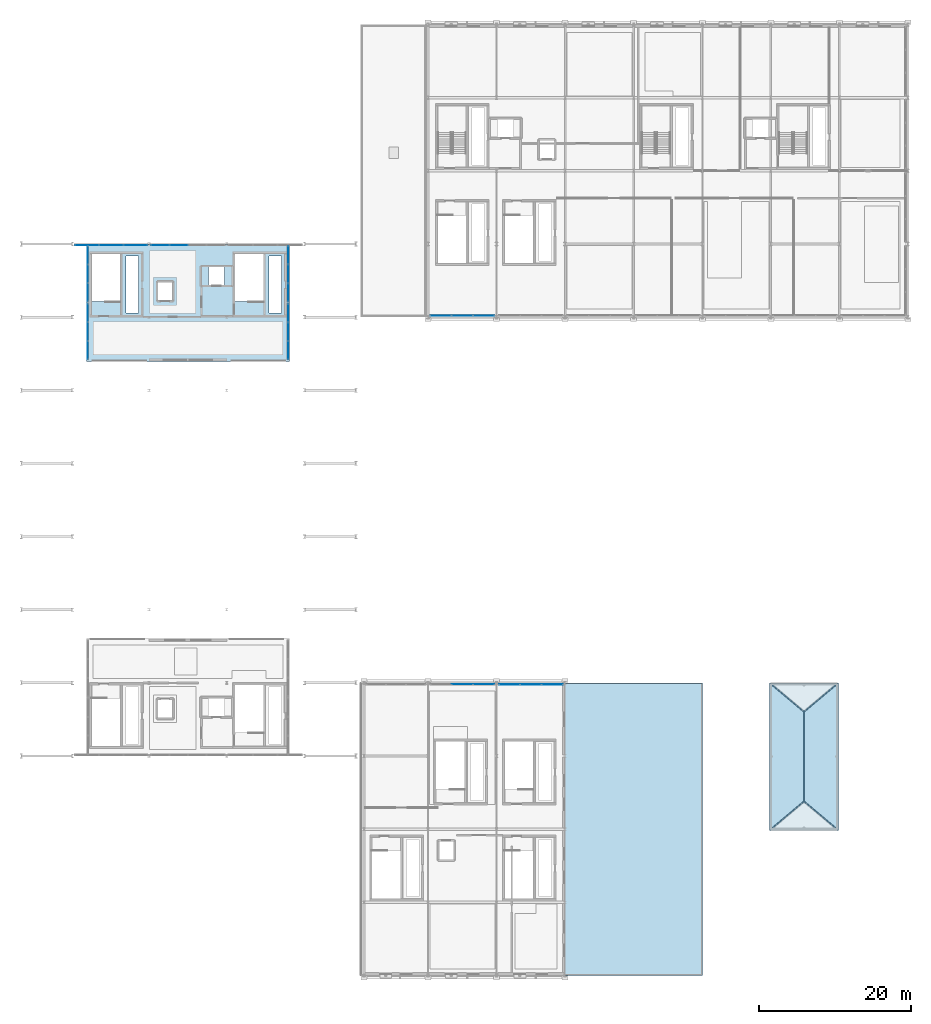
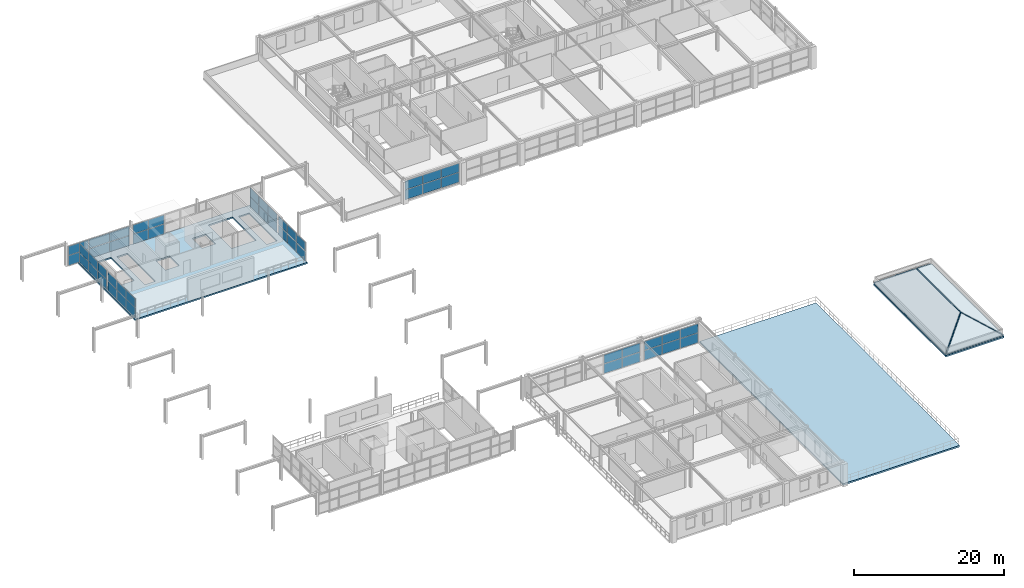
# One storey, part 31 of 52: 50 plates, 7 slabs, 9 elements without a shape of their own.
"""IFC4 building model written with IfcOpenShell, lengths in metres."""

from ifc_helpers import new_model, si_unit, direction, frame, origin, origin_2d, place, context, subcontext, project, spatial, polyline, rectangle, outline, extrude, material, layer, layer_set, type_object, element, aggregate, save


model = new_model("IFC4")

# Units and contexts
model_context = context("Model", 3, precision=1e-05, world=origin(), true_north=direction((0.0, 1.0)))
body_context = subcontext(model_context, "Body", "Model", "MODEL_VIEW")
ifc_project = project(units=[si_unit("LENGTHUNIT", "METRE"), si_unit("AREAUNIT", "SQUARE_METRE"), si_unit("VOLUMEUNIT", "CUBIC_METRE"), si_unit("PLANEANGLEUNIT", "RADIAN"), si_unit("MASSUNIT", "GRAM", prefix="KILO")], contexts=[model_context])

# Site, building, storey
site_placement = place(None, origin())
site = spatial("IfcSite", under=ifc_project, at=site_placement, CompositionType="ELEMENT")
building_placement = place(site_placement, origin())
building = spatial("IfcBuilding", under=site, at=building_placement, Name="Myrtia Square Station", CompositionType="ELEMENT")
storey_placement = place(building_placement, frame((0.0, 0.0, 15.0)))
storey = spatial("IfcBuildingStorey", under=building, at=storey_placement, Name="L03", CompositionType="ELEMENT", Elevation=15.0)

# Curtain wall, plates
ifc_material_1 = material(Name="Dark bronze anodised aluminium", Category="aluminium")
ifc_layer_1 = layer(ifc_material_1, 0.159912109375, Name="Dark bronze anodised aluminium")
ifc_layer_set_1 = layer_set([ifc_layer_1], Name="Dark bronze anodised aluminium")
curtain_wall_type_1 = type_object("IfcCurtainWallType", Name="CW-TYPE-08-740x320", PredefinedType="USERDEFINED", material=ifc_layer_set_1)
curtain_wall_1_placement = place(storey_placement, origin())
curtain_wall_1 = element("IfcCurtainWall", 1, at=curtain_wall_1_placement, inside=storey, type_object=curtain_wall_type_1, Name="Concourse curtain wall CW-L03-038", ObjectType="CONCOURSE CURTAIN WALL", PredefinedType="USERDEFINED")
ifc_material_2 = material(Name="Tinted low-E solar control glass", Category="glass")
ifc_layer_2 = layer(ifc_material_2, 0.02392578125, Name="Tinted low-E solar control glass")
ifc_layer_set_2 = layer_set([ifc_layer_2], Name="Tinted low-E solar control glass")
plate_type_1 = type_object("IfcPlateType", Name="CWP-GLZ-24", PredefinedType="CURTAIN_PANEL", material=ifc_layer_set_2)
plate_1_placement = place(storey_placement, frame((107.64990234375, 82.052001953125, 0.0751953125), z_axis=(0.0, 0.0, 1.0), x_axis=(0.0, 1.0, 0.0)))
plate_1 = element("IfcPlate", 2, at=plate_1_placement, type_object=plate_type_1, Name="CW-038 panel 1.1", PredefinedType="CURTAIN_PANEL", context=body_context, shape_type="SweptSolid", body=[
    extrude(rectangle(XDim=2.354248046875, YDim=0.02392578125, at=origin_2d()), origin(), (0.0, 0.0, 1.0), 1.551513671875),
])
plate_2_placement = place(storey_placement, frame((107.64990234375, 82.052001953125, 1.70166015625), z_axis=(0.0, 0.0, 1.0), x_axis=(0.0, 1.0, 0.0)))
plate_2 = element("IfcPlate", 3, at=plate_2_placement, type_object=plate_type_1, Name="CW-038 panel 1.2", PredefinedType="CURTAIN_PANEL", context=body_context, shape_type="SweptSolid", body=[
    extrude(rectangle(XDim=2.354248046875, YDim=0.02392578125, at=origin_2d()), origin(), (0.0, 0.0, 1.0), 1.423583984375),
])
plate_3_placement = place(storey_placement, frame((107.64990234375, 84.5, 0.0751953125), z_axis=(0.0, 0.0, 1.0), x_axis=(0.0, 1.0, 0.0)))
plate_3 = element("IfcPlate", 4, at=plate_3_placement, type_object=plate_type_1, Name="CW-038 panel 2.1", PredefinedType="CURTAIN_PANEL", context=body_context, shape_type="SweptSolid", body=[
    extrude(rectangle(XDim=2.3916015625, YDim=0.02392578125, at=origin_2d()), origin(), (0.0, 0.0, 1.0), 1.551513671875),
])
plate_4_placement = place(storey_placement, frame((107.64990234375, 84.5, 1.70166015625), z_axis=(0.0, 0.0, 1.0), x_axis=(0.0, 1.0, 0.0)))
plate_4 = element("IfcPlate", 5, at=plate_4_placement, type_object=plate_type_1, Name="CW-038 panel 2.2", PredefinedType="CURTAIN_PANEL", context=body_context, shape_type="SweptSolid", body=[
    extrude(rectangle(XDim=2.3916015625, YDim=0.02392578125, at=origin_2d()), origin(), (0.0, 0.0, 1.0), 1.423583984375),
])
plate_5_placement = place(storey_placement, frame((107.64990234375, 86.947998046875, 0.0751953125), z_axis=(0.0, 0.0, 1.0), x_axis=(0.0, 1.0, 0.0)))
plate_5 = element("IfcPlate", 6, at=plate_5_placement, type_object=plate_type_1, Name="CW-038 panel 3.1", PredefinedType="CURTAIN_PANEL", context=body_context, shape_type="SweptSolid", body=[
    extrude(rectangle(XDim=2.354248046875, YDim=0.02392578125, at=origin_2d()), origin(), (0.0, 0.0, 1.0), 1.551513671875),
])
plate_6_placement = place(storey_placement, frame((107.64990234375, 86.947998046875, 1.70166015625), z_axis=(0.0, 0.0, 1.0), x_axis=(0.0, 1.0, 0.0)))
plate_6 = element("IfcPlate", 7, at=plate_6_placement, type_object=plate_type_1, Name="CW-038 panel 3.2", PredefinedType="CURTAIN_PANEL", context=body_context, shape_type="SweptSolid", body=[
    extrude(rectangle(XDim=2.354248046875, YDim=0.02392578125, at=origin_2d()), origin(), (0.0, 0.0, 1.0), 1.423583984375),
])
aggregate(curtain_wall_1, [plate_1, plate_2, plate_3, plate_4, plate_5, plate_6])

ifc_layer_3 = layer(ifc_material_1, 0.159912109375, Name="Dark bronze anodised aluminium")
ifc_layer_set_3 = layer_set([ifc_layer_3], Name="Dark bronze anodised aluminium")
curtain_wall_type_2 = type_object("IfcCurtainWallType", Name="CW-TYPE-07-740x320", PredefinedType="USERDEFINED", material=ifc_layer_set_3)
curtain_wall_2_placement = place(storey_placement, origin())
curtain_wall_2 = element("IfcCurtainWall", 8, at=curtain_wall_2_placement, inside=storey, type_object=curtain_wall_type_2, Name="Concourse curtain wall CW-L03-039", ObjectType="CONCOURSE CURTAIN WALL", PredefinedType="USERDEFINED")
plate_7_placement = place(storey_placement, frame((81.35009765625, 89.649658203125, 0.06494140625), z_axis=(0.0, 0.0, 1.0), x_axis=(0.0, 1.0, 0.0)))
plate_7 = element("IfcPlate", 9, at=plate_7_placement, type_object=plate_type_1, Name="CW-039 panel 1.1", PredefinedType="CURTAIN_PANEL", context=body_context, shape_type="SweptSolid", body=[
    extrude(rectangle(XDim=2.369140625, YDim=0.02392578125, at=origin_2d()), origin(), (0.0, 0.0, 1.0), 1.56640625),
])
plate_8_placement = place(storey_placement, frame((81.35009765625, 89.649658203125, 1.696533203125), z_axis=(0.0, 0.0, 1.0), x_axis=(0.0, 1.0, 0.0)))
plate_8 = element("IfcPlate", 10, at=plate_8_placement, type_object=plate_type_1, Name="CW-039 panel 1.2", PredefinedType="CURTAIN_PANEL", context=body_context, shape_type="SweptSolid", body=[
    extrude(rectangle(XDim=2.369140625, YDim=0.02392578125, at=origin_2d()), origin(), (0.0, 0.0, 1.0), 1.4384765625),
])
plate_9_placement = place(storey_placement, frame((81.35009765625, 92.10009765625, 0.06494140625), z_axis=(0.0, 0.0, 1.0), x_axis=(0.0, 1.0, 0.0)))
plate_9 = element("IfcPlate", 11, at=plate_9_placement, type_object=plate_type_1, Name="CW-039 panel 2.1", PredefinedType="CURTAIN_PANEL", context=body_context, shape_type="SweptSolid", body=[
    extrude(rectangle(XDim=2.401611328125, YDim=0.02392578125, at=origin_2d()), origin(), (0.0, 0.0, 1.0), 1.56640625),
])
plate_10_placement = place(storey_placement, frame((81.35009765625, 92.10009765625, 1.696533203125), z_axis=(0.0, 0.0, 1.0), x_axis=(0.0, 1.0, 0.0)))
plate_10 = element("IfcPlate", 12, at=plate_10_placement, type_object=plate_type_1, Name="CW-039 panel 2.2", PredefinedType="CURTAIN_PANEL", context=body_context, shape_type="SweptSolid", body=[
    extrude(rectangle(XDim=2.401611328125, YDim=0.02392578125, at=origin_2d()), origin(), (0.0, 0.0, 1.0), 1.4384765625),
])
plate_11_placement = place(storey_placement, frame((81.35009765625, 94.550537109375, 0.06494140625), z_axis=(0.0, 0.0, 1.0), x_axis=(0.0, 1.0, 0.0)))
plate_11 = element("IfcPlate", 13, at=plate_11_placement, type_object=plate_type_1, Name="CW-039 panel 3.1", PredefinedType="CURTAIN_PANEL", context=body_context, shape_type="SweptSolid", body=[
    extrude(rectangle(XDim=2.369140625, YDim=0.02392578125, at=origin_2d()), origin(), (0.0, 0.0, 1.0), 1.56640625),
])
plate_12_placement = place(storey_placement, frame((81.35009765625, 94.550537109375, 1.696533203125), z_axis=(0.0, 0.0, 1.0), x_axis=(0.0, 1.0, 0.0)))
plate_12 = element("IfcPlate", 14, at=plate_12_placement, type_object=plate_type_1, Name="CW-039 panel 3.2", PredefinedType="CURTAIN_PANEL", context=body_context, shape_type="SweptSolid", body=[
    extrude(rectangle(XDim=2.369140625, YDim=0.02392578125, at=origin_2d()), origin(), (0.0, 0.0, 1.0), 1.4384765625),
])
aggregate(curtain_wall_2, [plate_7, plate_8, plate_9, plate_10, plate_11, plate_12])

ifc_layer_4 = layer(ifc_material_1, 0.159912109375, Name="Dark bronze anodised aluminium")
ifc_layer_set_4 = layer_set([ifc_layer_4], Name="Dark bronze anodised aluminium")
curtain_wall_type_3 = type_object("IfcCurtainWallType", Name="CW-TYPE-16-980x325", PredefinedType="USERDEFINED", material=ifc_layer_set_4)
curtain_wall_3_placement = place(storey_placement, origin())
curtain_wall_3 = element("IfcCurtainWall", 15, at=curtain_wall_3_placement, inside=storey, type_object=curtain_wall_type_3, Name="Concourse curtain wall CW-L03-056", ObjectType="CONCOURSE CURTAIN WALL", PredefinedType="USERDEFINED")
plate_13_placement = place(storey_placement, frame((90.84130859375, 95.85009765625, 0.06494140625), z_axis=(0.0, 0.0, 1.0), x_axis=(1.0, 0.0, 0.0)))
plate_13 = element("IfcPlate", 16, at=plate_13_placement, type_object=plate_type_1, Name="CW-056 panel 1.1", PredefinedType="CURTAIN_PANEL", context=body_context, shape_type="SweptSolid", body=[
    extrude(rectangle(XDim=2.3525390625, YDim=0.02392578125, at=origin_2d()), origin(), (0.0, 0.0, 1.0), 1.592529296875),
])
plate_14_placement = place(storey_placement, frame((90.84130859375, 95.85009765625, 1.72265625), z_axis=(0.0, 0.0, 1.0), x_axis=(1.0, 0.0, 0.0)))
plate_14 = element("IfcPlate", 17, at=plate_14_placement, type_object=plate_type_1, Name="CW-056 panel 1.2", PredefinedType="CURTAIN_PANEL", context=body_context, shape_type="SweptSolid", body=[
    extrude(rectangle(XDim=2.3525390625, YDim=0.02392578125, at=origin_2d()), origin(), (0.0, 0.0, 1.0), 1.46240234375),
])
plate_15_placement = place(storey_placement, frame((93.27490234375, 95.85009765625, 0.06494140625), z_axis=(0.0, 0.0, 1.0), x_axis=(1.0, 0.0, 0.0)))
plate_15 = element("IfcPlate", 18, at=plate_15_placement, type_object=plate_type_1, Name="CW-056 panel 2.1", PredefinedType="CURTAIN_PANEL", context=body_context, shape_type="SweptSolid", body=[
    extrude(rectangle(XDim=2.385009765625, YDim=0.02392578125, at=origin_2d()), origin(), (0.0, 0.0, 1.0), 1.592529296875),
])
plate_16_placement = place(storey_placement, frame((93.27490234375, 95.85009765625, 1.72265625), z_axis=(0.0, 0.0, 1.0), x_axis=(1.0, 0.0, 0.0)))
plate_16 = element("IfcPlate", 19, at=plate_16_placement, type_object=plate_type_1, Name="CW-056 panel 2.2", PredefinedType="CURTAIN_PANEL", context=body_context, shape_type="SweptSolid", body=[
    extrude(rectangle(XDim=2.385009765625, YDim=0.02392578125, at=origin_2d()), origin(), (0.0, 0.0, 1.0), 1.46240234375),
])
aggregate(curtain_wall_3, [plate_13, plate_14, plate_15, plate_16])

ifc_layer_5 = layer(ifc_material_1, 0.159912109375, Name="Dark bronze anodised aluminium")
ifc_layer_set_5 = layer_set([ifc_layer_5], Name="Dark bronze anodised aluminium")
curtain_wall_type_4 = type_object("IfcCurtainWallType", Name="CW-TYPE-41-845x320", PredefinedType="USERDEFINED", material=ifc_layer_set_5)
curtain_wall_4_placement = place(storey_placement, origin())
curtain_wall_4 = element("IfcCurtainWall", 20, at=curtain_wall_4_placement, inside=storey, type_object=curtain_wall_type_4, Name="Concourse curtain wall CW-L03-120", ObjectType="CONCOURSE CURTAIN WALL", PredefinedType="USERDEFINED")
plate_17_placement = place(storey_placement, frame((127.6982421875, 86.60009765625, 0.06005859375), z_axis=(0.0, 0.0, 1.0), x_axis=(1.0, 0.0, 0.0)))
plate_17 = element("IfcPlate", 21, at=plate_17_placement, type_object=plate_type_1, Name="CW-120 panel 1.1", PredefinedType="CURTAIN_PANEL", context=body_context, shape_type="SweptSolid", body=[
    extrude(rectangle(XDim=2.7265625, YDim=0.02392578125, at=origin_2d()), origin(), (0.0, 0.0, 1.0), 1.573974609375),
])
plate_18_placement = place(storey_placement, frame((127.6982421875, 86.60009765625, 1.69384765625), z_axis=(0.0, 0.0, 1.0), x_axis=(1.0, 0.0, 0.0)))
plate_18 = element("IfcPlate", 22, at=plate_18_placement, type_object=plate_type_1, Name="CW-120 panel 1.2", PredefinedType="CURTAIN_PANEL", context=body_context, shape_type="SweptSolid", body=[
    extrude(rectangle(XDim=2.7265625, YDim=0.02392578125, at=origin_2d()), origin(), (0.0, 0.0, 1.0), 1.446044921875),
])
plate_19_placement = place(storey_placement, frame((130.5, 86.60009765625, 0.06005859375), z_axis=(0.0, 0.0, 1.0), x_axis=(1.0, 0.0, 0.0)))
plate_19 = element("IfcPlate", 23, at=plate_19_placement, type_object=plate_type_1, Name="CW-120 panel 2.1", PredefinedType="CURTAIN_PANEL", context=body_context, shape_type="SweptSolid", body=[
    extrude(rectangle(XDim=2.756591796875, YDim=0.02392578125, at=origin_2d()), origin(), (0.0, 0.0, 1.0), 1.573974609375),
])
plate_20_placement = place(storey_placement, frame((130.5, 86.60009765625, 1.69384765625), z_axis=(0.0, 0.0, 1.0), x_axis=(1.0, 0.0, 0.0)))
plate_20 = element("IfcPlate", 24, at=plate_20_placement, type_object=plate_type_1, Name="CW-120 panel 2.2", PredefinedType="CURTAIN_PANEL", context=body_context, shape_type="SweptSolid", body=[
    extrude(rectangle(XDim=2.756591796875, YDim=0.02392578125, at=origin_2d()), origin(), (0.0, 0.0, 1.0), 1.446044921875),
])
plate_21_placement = place(storey_placement, frame((133.3017578125, 86.60009765625, 0.06005859375), z_axis=(0.0, 0.0, 1.0), x_axis=(1.0, 0.0, 0.0)))
plate_21 = element("IfcPlate", 25, at=plate_21_placement, type_object=plate_type_1, Name="CW-120 panel 3.1", PredefinedType="CURTAIN_PANEL", context=body_context, shape_type="SweptSolid", body=[
    extrude(rectangle(XDim=2.7265625, YDim=0.02392578125, at=origin_2d()), origin(), (0.0, 0.0, 1.0), 1.573974609375),
])
plate_22_placement = place(storey_placement, frame((133.3017578125, 86.60009765625, 1.69384765625), z_axis=(0.0, 0.0, 1.0), x_axis=(1.0, 0.0, 0.0)))
plate_22 = element("IfcPlate", 26, at=plate_22_placement, type_object=plate_type_1, Name="CW-120 panel 3.2", PredefinedType="CURTAIN_PANEL", context=body_context, shape_type="SweptSolid", body=[
    extrude(rectangle(XDim=2.7265625, YDim=0.02392578125, at=origin_2d()), origin(), (0.0, 0.0, 1.0), 1.446044921875),
])
aggregate(curtain_wall_4, [plate_17, plate_18, plate_19, plate_20, plate_21, plate_22])

ifc_layer_6 = layer(ifc_material_1, 0.159912109375, Name="Dark bronze anodised aluminium")
ifc_layer_set_6 = layer_set([ifc_layer_6], Name="Dark bronze anodised aluminium")
curtain_wall_type_5 = type_object("IfcCurtainWallType", Name="CW-TYPE-48-846x320", PredefinedType="USERDEFINED", material=ifc_layer_set_6)
curtain_wall_5_placement = place(storey_placement, origin())
curtain_wall_5 = element("IfcCurtainWall", 27, at=curtain_wall_5_placement, inside=storey, type_object=curtain_wall_type_5, Name="Concourse curtain wall CW-L03-156", ObjectType="CONCOURSE CURTAIN WALL", PredefinedType="USERDEFINED")
ifc_layer_7 = layer(ifc_material_2, 0.028076171875, Name="Tinted low-E solar control glass")
ifc_layer_set_7 = layer_set([ifc_layer_7], Name="Tinted low-E solar control glass")
plate_type_2 = type_object("IfcPlateType", Name="CWP-GLZ-28", PredefinedType="CURTAIN_PANEL", material=ifc_layer_set_7)
plate_23_placement = place(storey_placement, frame((130.5, 38.199951171875, 0.06494140625), z_axis=(0.0, 0.0, 1.0), x_axis=(1.0, 0.0, 0.0)))
plate_23 = element("IfcPlate", 28, at=plate_23_placement, type_object=plate_type_2, Name="CW-156 panel 2.1", PredefinedType="CURTAIN_PANEL", context=body_context, shape_type="SweptSolid", body=[
    extrude(rectangle(XDim=2.7548828125, YDim=0.028076171875, at=origin_2d()), origin(), (0.0, 0.0, 1.0), 1.56640625),
])
plate_24_placement = place(storey_placement, frame((130.5, 38.199951171875, 1.696533203125), z_axis=(0.0, 0.0, 1.0), x_axis=(1.0, 0.0, 0.0)))
plate_24 = element("IfcPlate", 29, at=plate_24_placement, type_object=plate_type_2, Name="CW-156 panel 2.2", PredefinedType="CURTAIN_PANEL", context=body_context, shape_type="SweptSolid", body=[
    extrude(rectangle(XDim=2.7548828125, YDim=0.028076171875, at=origin_2d()), origin(), (0.0, 0.0, 1.0), 1.4384765625),
])
plate_25_placement = place(storey_placement, frame((133.3037109375, 38.199951171875, 0.06494140625), z_axis=(0.0, 0.0, 1.0), x_axis=(1.0, 0.0, 0.0)))
plate_25 = element("IfcPlate", 30, at=plate_25_placement, type_object=plate_type_2, Name="CW-156 panel 3.1", PredefinedType="CURTAIN_PANEL", context=body_context, shape_type="SweptSolid", body=[
    extrude(rectangle(XDim=2.722412109375, YDim=0.028076171875, at=origin_2d()), origin(), (0.0, 0.0, 1.0), 1.56640625),
])
plate_26_placement = place(storey_placement, frame((133.3037109375, 38.199951171875, 1.696533203125), z_axis=(0.0, 0.0, 1.0), x_axis=(1.0, 0.0, 0.0)))
plate_26 = element("IfcPlate", 31, at=plate_26_placement, type_object=plate_type_2, Name="CW-156 panel 3.2", PredefinedType="CURTAIN_PANEL", context=body_context, shape_type="SweptSolid", body=[
    extrude(rectangle(XDim=2.722412109375, YDim=0.028076171875, at=origin_2d()), origin(), (0.0, 0.0, 1.0), 1.4384765625),
])
aggregate(curtain_wall_5, [plate_23, plate_24, plate_25, plate_26])

curtain_wall_6_placement = place(storey_placement, origin())
curtain_wall_6 = element("IfcCurtainWall", 32, at=curtain_wall_6_placement, inside=storey, type_object=curtain_wall_type_2, Name="Concourse curtain wall CW-L03-037", ObjectType="CONCOURSE CURTAIN WALL", PredefinedType="USERDEFINED")
ifc_layer_8 = layer(ifc_material_2, 0.031982421875, Name="Tinted low-E solar control glass")
ifc_layer_set_8 = layer_set([ifc_layer_8], Name="Tinted low-E solar control glass")
plate_type_3 = type_object("IfcPlateType", Name="CWP-GLZ-32", PredefinedType="CURTAIN_PANEL", material=ifc_layer_set_8)
plate_27_placement = place(storey_placement, frame((81.35009765625, 82.049560546875, 0.06494140625), z_axis=(0.0, 0.0, 1.0), x_axis=(0.0, 1.0, 0.0)))
plate_27 = element("IfcPlate", 33, at=plate_27_placement, type_object=plate_type_3, Name="CW-037 panel 1.1", PredefinedType="CURTAIN_PANEL", context=body_context, shape_type="SweptSolid", body=[
    extrude(rectangle(XDim=2.369140625, YDim=0.031982421875, at=origin_2d()), origin(), (0.0, 0.0, 1.0), 1.56640625),
])
plate_28_placement = place(storey_placement, frame((81.35009765625, 82.049560546875, 1.696533203125), z_axis=(0.0, 0.0, 1.0), x_axis=(0.0, 1.0, 0.0)))
plate_28 = element("IfcPlate", 34, at=plate_28_placement, type_object=plate_type_3, Name="CW-037 panel 1.2", PredefinedType="CURTAIN_PANEL", context=body_context, shape_type="SweptSolid", body=[
    extrude(rectangle(XDim=2.369140625, YDim=0.031982421875, at=origin_2d()), origin(), (0.0, 0.0, 1.0), 1.4384765625),
])
plate_29_placement = place(storey_placement, frame((81.35009765625, 84.5, 0.06494140625), z_axis=(0.0, 0.0, 1.0), x_axis=(0.0, 1.0, 0.0)))
plate_29 = element("IfcPlate", 35, at=plate_29_placement, type_object=plate_type_3, Name="CW-037 panel 2.1", PredefinedType="CURTAIN_PANEL", context=body_context, shape_type="SweptSolid", body=[
    extrude(rectangle(XDim=2.401611328125, YDim=0.031982421875, at=origin_2d()), origin(), (0.0, 0.0, 1.0), 1.56640625),
])
plate_30_placement = place(storey_placement, frame((81.35009765625, 84.5, 1.696533203125), z_axis=(0.0, 0.0, 1.0), x_axis=(0.0, 1.0, 0.0)))
plate_30 = element("IfcPlate", 36, at=plate_30_placement, type_object=plate_type_3, Name="CW-037 panel 2.2", PredefinedType="CURTAIN_PANEL", context=body_context, shape_type="SweptSolid", body=[
    extrude(rectangle(XDim=2.401611328125, YDim=0.031982421875, at=origin_2d()), origin(), (0.0, 0.0, 1.0), 1.4384765625),
])
plate_31_placement = place(storey_placement, frame((81.35009765625, 86.950439453125, 0.06494140625), z_axis=(0.0, 0.0, 1.0), x_axis=(0.0, 1.0, 0.0)))
plate_31 = element("IfcPlate", 37, at=plate_31_placement, type_object=plate_type_3, Name="CW-037 panel 3.1", PredefinedType="CURTAIN_PANEL", context=body_context, shape_type="SweptSolid", body=[
    extrude(rectangle(XDim=2.369140625, YDim=0.031982421875, at=origin_2d()), origin(), (0.0, 0.0, 1.0), 1.56640625),
])
plate_32_placement = place(storey_placement, frame((81.35009765625, 86.950439453125, 1.696533203125), z_axis=(0.0, 0.0, 1.0), x_axis=(0.0, 1.0, 0.0)))
plate_32 = element("IfcPlate", 38, at=plate_32_placement, type_object=plate_type_3, Name="CW-037 panel 3.2", PredefinedType="CURTAIN_PANEL", context=body_context, shape_type="SweptSolid", body=[
    extrude(rectangle(XDim=2.369140625, YDim=0.031982421875, at=origin_2d()), origin(), (0.0, 0.0, 1.0), 1.4384765625),
])
aggregate(curtain_wall_6, [plate_27, plate_28, plate_29, plate_30, plate_31, plate_32])

curtain_wall_7_placement = place(storey_placement, origin())
curtain_wall_7 = element("IfcCurtainWall", 39, at=curtain_wall_7_placement, inside=storey, type_object=curtain_wall_type_1, Name="Concourse curtain wall CW-L03-040", ObjectType="CONCOURSE CURTAIN WALL", PredefinedType="USERDEFINED")
plate_33_placement = place(storey_placement, frame((107.64990234375, 89.652099609375, 0.0751953125), z_axis=(0.0, 0.0, 1.0), x_axis=(0.0, 1.0, 0.0)))
plate_33 = element("IfcPlate", 40, at=plate_33_placement, type_object=plate_type_3, Name="CW-040 panel 1.1", PredefinedType="CURTAIN_PANEL", context=body_context, shape_type="SweptSolid", body=[
    extrude(rectangle(XDim=2.354248046875, YDim=0.031982421875, at=origin_2d()), origin(), (0.0, 0.0, 1.0), 1.551513671875),
])
plate_34_placement = place(storey_placement, frame((107.64990234375, 89.652099609375, 1.70166015625), z_axis=(0.0, 0.0, 1.0), x_axis=(0.0, 1.0, 0.0)))
plate_34 = element("IfcPlate", 41, at=plate_34_placement, type_object=plate_type_3, Name="CW-040 panel 1.2", PredefinedType="CURTAIN_PANEL", context=body_context, shape_type="SweptSolid", body=[
    extrude(rectangle(XDim=2.354248046875, YDim=0.031982421875, at=origin_2d()), origin(), (0.0, 0.0, 1.0), 1.423583984375),
])
plate_35_placement = place(storey_placement, frame((107.64990234375, 92.10009765625, 0.0751953125), z_axis=(0.0, 0.0, 1.0), x_axis=(0.0, 1.0, 0.0)))
plate_35 = element("IfcPlate", 42, at=plate_35_placement, type_object=plate_type_3, Name="CW-040 panel 2.1", PredefinedType="CURTAIN_PANEL", context=body_context, shape_type="SweptSolid", body=[
    extrude(rectangle(XDim=2.3916015625, YDim=0.031982421875, at=origin_2d()), origin(), (0.0, 0.0, 1.0), 1.551513671875),
])
plate_36_placement = place(storey_placement, frame((107.64990234375, 92.10009765625, 1.70166015625), z_axis=(0.0, 0.0, 1.0), x_axis=(0.0, 1.0, 0.0)))
plate_36 = element("IfcPlate", 43, at=plate_36_placement, type_object=plate_type_3, Name="CW-040 panel 2.2", PredefinedType="CURTAIN_PANEL", context=body_context, shape_type="SweptSolid", body=[
    extrude(rectangle(XDim=2.3916015625, YDim=0.031982421875, at=origin_2d()), origin(), (0.0, 0.0, 1.0), 1.423583984375),
])
plate_37_placement = place(storey_placement, frame((107.64990234375, 94.5478515625, 0.0751953125), z_axis=(0.0, 0.0, 1.0), x_axis=(0.0, 1.0, 0.0)))
plate_37 = element("IfcPlate", 44, at=plate_37_placement, type_object=plate_type_3, Name="CW-040 panel 3.1", PredefinedType="CURTAIN_PANEL", context=body_context, shape_type="SweptSolid", body=[
    extrude(rectangle(XDim=2.354248046875, YDim=0.031982421875, at=origin_2d()), origin(), (0.0, 0.0, 1.0), 1.551513671875),
])
plate_38_placement = place(storey_placement, frame((107.64990234375, 94.5478515625, 1.70166015625), z_axis=(0.0, 0.0, 1.0), x_axis=(0.0, 1.0, 0.0)))
plate_38 = element("IfcPlate", 45, at=plate_38_placement, type_object=plate_type_3, Name="CW-040 panel 3.2", PredefinedType="CURTAIN_PANEL", context=body_context, shape_type="SweptSolid", body=[
    extrude(rectangle(XDim=2.354248046875, YDim=0.031982421875, at=origin_2d()), origin(), (0.0, 0.0, 1.0), 1.423583984375),
])
aggregate(curtain_wall_7, [plate_33, plate_34, plate_35, plate_36, plate_37, plate_38])

ifc_layer_9 = layer(ifc_material_1, 0.159912109375, Name="Dark bronze anodised aluminium")
ifc_layer_set_9 = layer_set([ifc_layer_9], Name="Dark bronze anodised aluminium")
curtain_wall_type_6 = type_object("IfcCurtainWallType", Name="CW-TYPE-15-955x325", PredefinedType="USERDEFINED", material=ifc_layer_set_9)
curtain_wall_8_placement = place(storey_placement, origin())
curtain_wall_8 = element("IfcCurtainWall", 46, at=curtain_wall_8_placement, inside=storey, type_object=curtain_wall_type_6, Name="Concourse curtain wall CW-L03-054", ObjectType="CONCOURSE CURTAIN WALL", PredefinedType="USERDEFINED")
plate_39_placement = place(storey_placement, frame((81.2578125, 95.85009765625, 0.06494140625), z_axis=(0.0, 0.0, 1.0), x_axis=(1.0, 0.0, 0.0)))
plate_39 = element("IfcPlate", 47, at=plate_39_placement, type_object=plate_type_3, Name="CW-054 panel 1.1", PredefinedType="CURTAIN_PANEL", context=body_context, shape_type="SweptSolid", body=[
    extrude(rectangle(XDim=3.0859375, YDim=0.031982421875, at=origin_2d()), origin(), (0.0, 0.0, 1.0), 1.592529296875),
])
plate_40_placement = place(storey_placement, frame((81.2578125, 95.85009765625, 1.72265625), z_axis=(0.0, 0.0, 1.0), x_axis=(1.0, 0.0, 0.0)))
plate_40 = element("IfcPlate", 48, at=plate_40_placement, type_object=plate_type_3, Name="CW-054 panel 1.2", PredefinedType="CURTAIN_PANEL", context=body_context, shape_type="SweptSolid", body=[
    extrude(rectangle(XDim=3.0859375, YDim=0.031982421875, at=origin_2d()), origin(), (0.0, 0.0, 1.0), 1.46240234375),
])
plate_41_placement = place(storey_placement, frame((84.425048828125, 95.85009765625, 0.06494140625), z_axis=(0.0, 0.0, 1.0), x_axis=(1.0, 0.0, 0.0)))
plate_41 = element("IfcPlate", 49, at=plate_41_placement, type_object=plate_type_3, Name="CW-054 panel 2.1", PredefinedType="CURTAIN_PANEL", context=body_context, shape_type="SweptSolid", body=[
    extrude(rectangle(XDim=3.118408203125, YDim=0.031982421875, at=origin_2d()), origin(), (0.0, 0.0, 1.0), 1.592529296875),
])
plate_42_placement = place(storey_placement, frame((84.425048828125, 95.85009765625, 1.72265625), z_axis=(0.0, 0.0, 1.0), x_axis=(1.0, 0.0, 0.0)))
plate_42 = element("IfcPlate", 50, at=plate_42_placement, type_object=plate_type_3, Name="CW-054 panel 2.2", PredefinedType="CURTAIN_PANEL", context=body_context, shape_type="SweptSolid", body=[
    extrude(rectangle(XDim=3.118408203125, YDim=0.031982421875, at=origin_2d()), origin(), (0.0, 0.0, 1.0), 1.46240234375),
])
plate_43_placement = place(storey_placement, frame((87.592041015625, 95.85009765625, 0.06494140625), z_axis=(0.0, 0.0, 1.0), x_axis=(1.0, 0.0, 0.0)))
plate_43 = element("IfcPlate", 51, at=plate_43_placement, type_object=plate_type_3, Name="CW-054 panel 3.1", PredefinedType="CURTAIN_PANEL", context=body_context, shape_type="SweptSolid", body=[
    extrude(rectangle(XDim=3.0859375, YDim=0.031982421875, at=origin_2d()), origin(), (0.0, 0.0, 1.0), 1.592529296875),
])
plate_44_placement = place(storey_placement, frame((87.592041015625, 95.85009765625, 1.72265625), z_axis=(0.0, 0.0, 1.0), x_axis=(1.0, 0.0, 0.0)))
plate_44 = element("IfcPlate", 52, at=plate_44_placement, type_object=plate_type_3, Name="CW-054 panel 3.2", PredefinedType="CURTAIN_PANEL", context=body_context, shape_type="SweptSolid", body=[
    extrude(rectangle(XDim=3.0859375, YDim=0.031982421875, at=origin_2d()), origin(), (0.0, 0.0, 1.0), 1.46240234375),
])
aggregate(curtain_wall_8, [plate_39, plate_40, plate_41, plate_42, plate_43, plate_44])

curtain_wall_9_placement = place(storey_placement, origin())
curtain_wall_9 = element("IfcCurtainWall", 53, at=curtain_wall_9_placement, inside=storey, type_object=curtain_wall_type_5, Name="Concourse curtain wall CW-L03-157", ObjectType="CONCOURSE CURTAIN WALL", PredefinedType="USERDEFINED")
plate_45_placement = place(storey_placement, frame((136.6962890625, 38.199951171875, 0.06494140625), z_axis=(0.0, 0.0, 1.0), x_axis=(1.0, 0.0, 0.0)))
plate_45 = element("IfcPlate", 54, at=plate_45_placement, type_object=plate_type_3, Name="CW-157 panel 1.1", PredefinedType="CURTAIN_PANEL", context=body_context, shape_type="SweptSolid", body=[
    extrude(rectangle(XDim=2.722412109375, YDim=0.031982421875, at=origin_2d()), origin(), (0.0, 0.0, 1.0), 1.56640625),
])
plate_46_placement = place(storey_placement, frame((136.6962890625, 38.199951171875, 1.696533203125), z_axis=(0.0, 0.0, 1.0), x_axis=(1.0, 0.0, 0.0)))
plate_46 = element("IfcPlate", 55, at=plate_46_placement, type_object=plate_type_3, Name="CW-157 panel 1.2", PredefinedType="CURTAIN_PANEL", context=body_context, shape_type="SweptSolid", body=[
    extrude(rectangle(XDim=2.722412109375, YDim=0.031982421875, at=origin_2d()), origin(), (0.0, 0.0, 1.0), 1.4384765625),
])
plate_47_placement = place(storey_placement, frame((139.5, 38.199951171875, 0.06494140625), z_axis=(0.0, 0.0, 1.0), x_axis=(1.0, 0.0, 0.0)))
plate_47 = element("IfcPlate", 56, at=plate_47_placement, type_object=plate_type_3, Name="CW-157 panel 2.1", PredefinedType="CURTAIN_PANEL", context=body_context, shape_type="SweptSolid", body=[
    extrude(rectangle(XDim=2.7548828125, YDim=0.031982421875, at=origin_2d()), origin(), (0.0, 0.0, 1.0), 1.56640625),
])
plate_48_placement = place(storey_placement, frame((139.5, 38.199951171875, 1.696533203125), z_axis=(0.0, 0.0, 1.0), x_axis=(1.0, 0.0, 0.0)))
plate_48 = element("IfcPlate", 57, at=plate_48_placement, type_object=plate_type_3, Name="CW-157 panel 2.2", PredefinedType="CURTAIN_PANEL", context=body_context, shape_type="SweptSolid", body=[
    extrude(rectangle(XDim=2.7548828125, YDim=0.031982421875, at=origin_2d()), origin(), (0.0, 0.0, 1.0), 1.4384765625),
])
plate_49_placement = place(storey_placement, frame((142.3037109375, 38.199951171875, 0.06494140625), z_axis=(0.0, 0.0, 1.0), x_axis=(1.0, 0.0, 0.0)))
plate_49 = element("IfcPlate", 58, at=plate_49_placement, type_object=plate_type_3, Name="CW-157 panel 3.1", PredefinedType="CURTAIN_PANEL", context=body_context, shape_type="SweptSolid", body=[
    extrude(rectangle(XDim=2.722412109375, YDim=0.031982421875, at=origin_2d()), origin(), (0.0, 0.0, 1.0), 1.56640625),
])
plate_50_placement = place(storey_placement, frame((142.3037109375, 38.199951171875, 1.696533203125), z_axis=(0.0, 0.0, 1.0), x_axis=(1.0, 0.0, 0.0)))
plate_50 = element("IfcPlate", 59, at=plate_50_placement, type_object=plate_type_3, Name="CW-157 panel 3.2", PredefinedType="CURTAIN_PANEL", context=body_context, shape_type="SweptSolid", body=[
    extrude(rectangle(XDim=2.722412109375, YDim=0.031982421875, at=origin_2d()), origin(), (0.0, 0.0, 1.0), 1.4384765625),
])
aggregate(curtain_wall_9, [plate_45, plate_46, plate_47, plate_48, plate_49, plate_50])

# Slabs
ifc_material_3 = material(Name="Concrete C35/45", Category="concrete")
ifc_layer_10 = layer(ifc_material_3, 0.239990234375, Name="Concrete C35/45")
ifc_layer_set_10 = layer_set([ifc_layer_10], Name="Concrete C35/45")
slab_type_1 = type_object("IfcSlabType", Name="SLB-FLR-240", PredefinedType="FLOOR", material=ifc_layer_set_10)
slab_1_placement = place(storey_placement, frame((0.0, 0.0, -0.239990234375)))
element("IfcSlab", 60, at=slab_1_placement, inside=storey, type_object=slab_type_1, Name="Structural floor slab SLB-L03-V2N", PredefinedType="FLOOR", context=body_context, shape_type="SweptSolid", body=[
    extrude(outline(polyline([(81.199951171875, 80.60009765625), (107.800048828125, 80.60009765625), (107.800048828125, 96.0), (81.199951171875, 96.0), (81.199951171875, 80.60009765625)]), holes=[polyline([(86.35009765625, 86.949951171875), (86.35009765625, 94.449951171875), (88.0, 94.449951171875), (88.0, 86.949951171875), (86.35009765625, 86.949951171875)]), polyline([(105.14990234375, 86.949951171875), (105.14990234375, 94.449951171875), (106.800048828125, 94.449951171875), (106.800048828125, 86.949951171875), (105.14990234375, 86.949951171875)]), polyline([(81.85009765625, 88.47998046875), (81.85009765625, 94.75), (85.610107421875, 94.75), (85.610107421875, 88.47998046875), (81.85009765625, 88.47998046875)]), polyline([(100.64990234375, 88.47998046875), (100.64990234375, 94.75), (104.409912109375, 94.75), (104.409912109375, 88.47998046875), (100.64990234375, 88.47998046875)]), polyline([(90.449951171875, 88.5), (90.449951171875, 91.10009765625), (92.550048828125, 91.10009765625), (92.550048828125, 88.5), (90.449951171875, 88.5)]), polyline([(97.199951171875, 90.489990234375), (97.199951171875, 93.090087890625), (99.300048828125, 93.090087890625), (99.300048828125, 90.489990234375), (97.199951171875, 90.489990234375)])]), origin(), (0.0, 0.0, 1.0), 0.239990234375),
])
ifc_layer_11 = layer(ifc_material_3, 0.18505859375, Name="Concrete C35/45")
ifc_layer_set_11 = layer_set([ifc_layer_11], Name="Concrete C35/45")
slab_type_2 = type_object("IfcSlabType", Name="SLB-HIP-185", PredefinedType="ROOF", material=ifc_layer_set_11)
slab_2_placement = place(storey_placement, frame((170.85009765625, 38.2890625, 0.19189453125), z_axis=(-0.560823848034, 0.0, 0.827935149318), x_axis=(0.0, -1.0, 0.0)))
element("IfcSlab", 61, at=slab_2_placement, inside=storey, type_object=slab_type_2, Name="Spanish terracotta hipped roof HIP-V4BELV W", PredefinedType="ROOF", context=body_context, shape_type="SweptSolid", body=[
    extrude(outline(polyline([(0.0, 0.0), (19.128173828125, 0.0), (15.41943359375, 5.332295561447058), (3.708740234375, 5.332295561447058), (0.0, 0.0)])), origin(), (0.0, 0.0, -1.0), 0.18505859375),
])
slab_3_placement = place(storey_placement, frame((179.85009765625, 19.160888671875, 0.19189453125), z_axis=(0.560802589371, 0.0, 0.82794954904), x_axis=(0.0, 1.0, 0.0)))
element("IfcSlab", 62, at=slab_3_placement, inside=storey, type_object=slab_type_2, Name="Spanish terracotta hipped roof HIP-V4BELV E", PredefinedType="ROOF", context=body_context, shape_type="SweptSolid", body=[
    extrude(outline(polyline([(0.0, 0.0), (19.128173828125, 0.0), (15.41943359375, 5.332497695809684), (3.708740234375, 5.332497695809684), (0.0, 0.0)])), origin(), (0.0, 0.0, -1.0), 0.18505859375),
])
slab_4_placement = place(storey_placement, frame((170.982177734375, 19.050048828125, 0.19189453125), z_axis=(0.0, -0.627709926083, 0.778447332), x_axis=(1.0, 0.0, 0.0)))
element("IfcSlab", 63, at=slab_4_placement, inside=storey, type_object=slab_type_2, Name="Spanish terracotta hipped roof HIP-V4BELV S", PredefinedType="ROOF", context=body_context, shape_type="SweptSolid", body=[
    extrude(outline(polyline([(0.0, 0.0), (8.735595703125, 0.0), (4.367919921875, 4.713158054091728), (0.0, 0.0)])), origin(), (0.0, 0.0, -1.0), 0.18505859375),
])
slab_5_placement = place(storey_placement, frame((179.7177734375, 38.39990234375, 0.19189453125), z_axis=(0.0, 0.627709926083, 0.778447332), x_axis=(-1.0, 0.0, 0.0)))
element("IfcSlab", 64, at=slab_5_placement, inside=storey, type_object=slab_type_2, Name="Spanish terracotta hipped roof HIP-V4BELV N", PredefinedType="ROOF", context=body_context, shape_type="SweptSolid", body=[
    extrude(outline(polyline([(0.0, 0.0), (8.735595703125, 0.0), (4.36767578125, 4.713158054091728), (0.0, 0.0)])), origin(), (0.0, 0.0, -1.0), 0.18505859375),
])
ifc_layer_12 = layer(ifc_material_3, 0.2451171875, Name="Concrete C35/45")
ifc_layer_set_12 = layer_set([ifc_layer_12], Name="Concrete C35/45")
slab_type_3 = type_object("IfcSlabType", Name="SLB-ROOF-245", PredefinedType="ROOF", material=ifc_layer_set_12)
slab_6_placement = place(storey_placement, frame((0.0, 0.0, -0.2451171875)))
element("IfcSlab", 65, at=slab_6_placement, inside=storey, type_object=slab_type_3, Name="Flat roof deck ROOF-L03-V4BELV", PredefinedType="ROOF", context=body_context, shape_type="SweptSolid", body=[
    extrude(outline(polyline([(170.85009765625, 19.050048828125), (179.85009765625, 19.050048828125), (179.85009765625, 38.39990234375), (170.85009765625, 38.39990234375), (170.85009765625, 19.050048828125)])), origin(), (0.0, 0.0, 1.0), 0.2451171875),
])
ifc_layer_13 = layer(ifc_material_3, 0.264892578125, Name="Concrete C35/45")
ifc_layer_set_13 = layer_set([ifc_layer_13], Name="Concrete C35/45")
slab_type_4 = type_object("IfcSlabType", Name="SLB-TER-265", PredefinedType="FLOOR", material=ifc_layer_set_13)
slab_7_placement = place(storey_placement, frame((0.0, 0.0, -0.264892578125)))
element("IfcSlab", 66, at=slab_7_placement, inside=storey, type_object=slab_type_4, Name="Upper Mediterranean Roof Terrace", PredefinedType="FLOOR", context=body_context, shape_type="SweptSolid", body=[
    extrude(outline(polyline([(144.010009765625, 0.0), (162.0, 0.0), (162.0, 38.39990234375), (144.010009765625, 38.39990234375), (144.010009765625, 0.0)])), origin(), (0.0, 0.0, 1.0), 0.264892578125),
])

save(model, "model.ifc")
